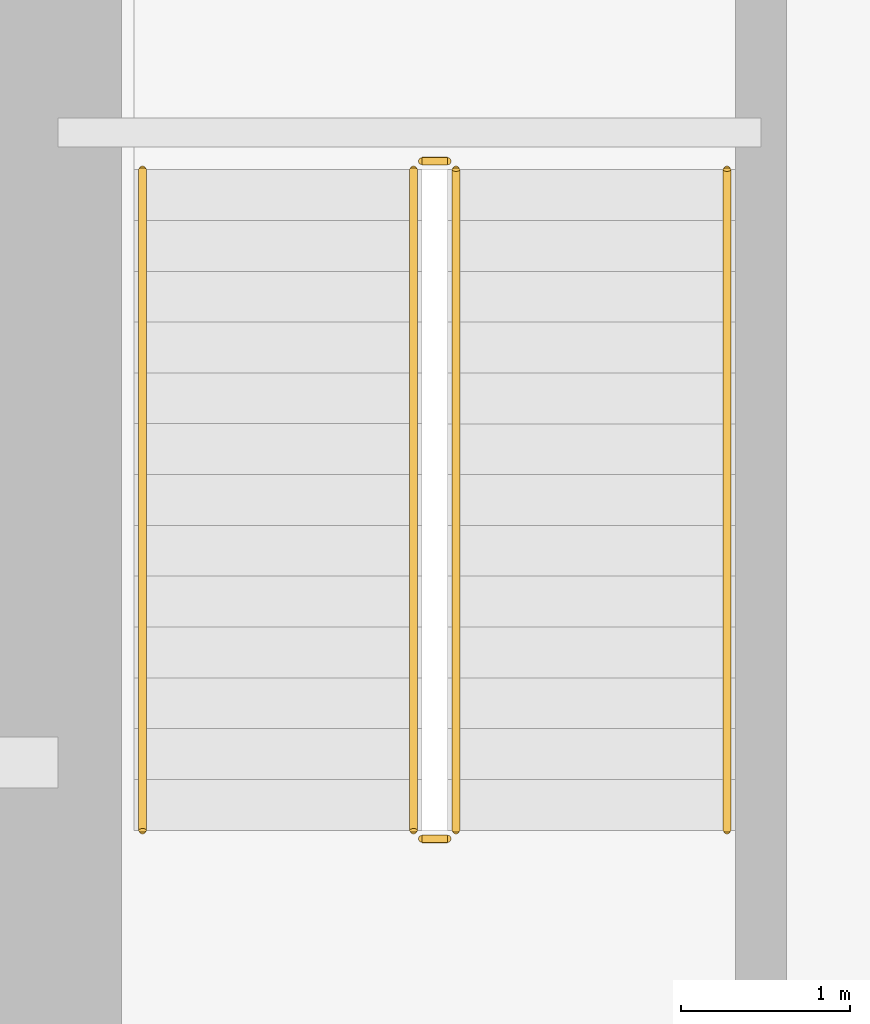
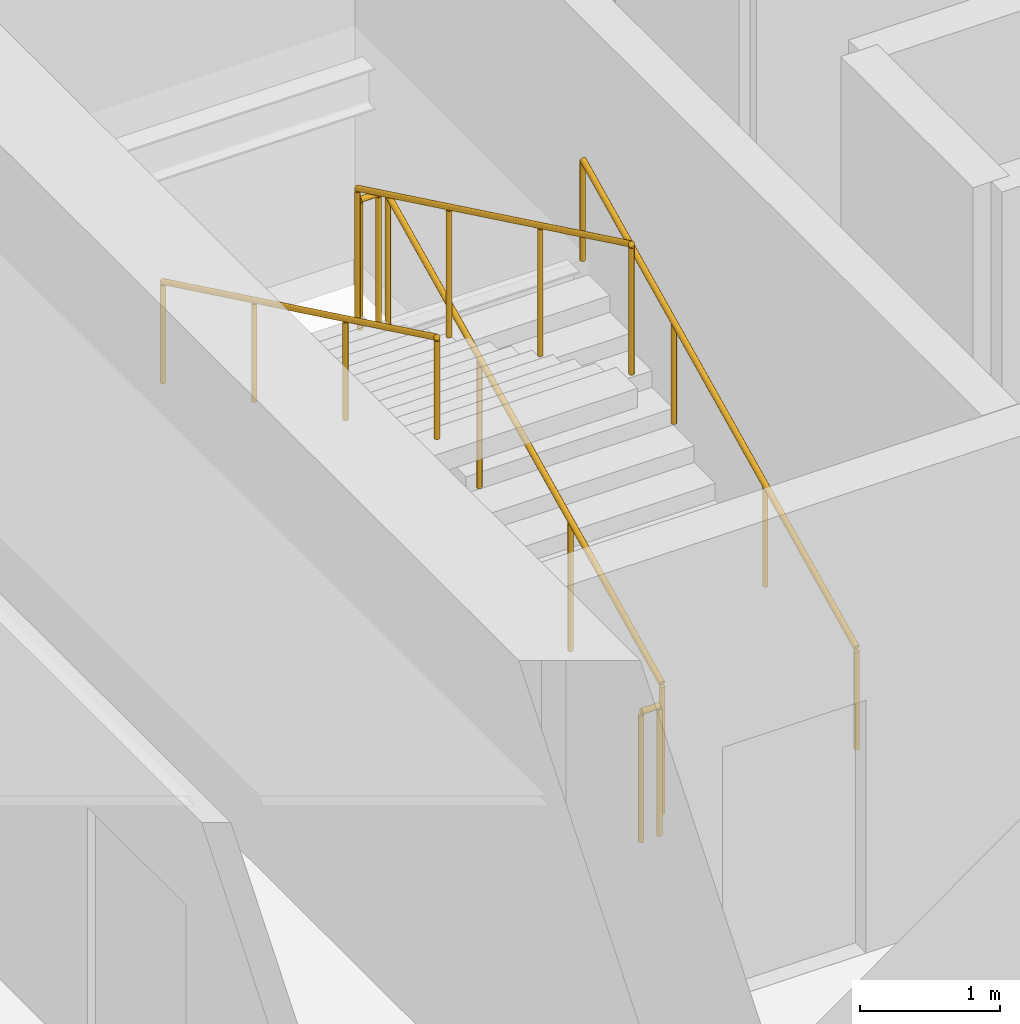
# One storey, part 31 of 34: 6 railings.
"""IFC4 building model written with IfcOpenShell, lengths in metres."""

from ifc_helpers import new_model, si_unit, direction, frame, origin, origin_2d, place, context, subcontext, project, spatial, circle, extrude, material, type_object, element, save


model = new_model("IFC4")

# Units and contexts
model_context = context("Model", 3, precision=1e-05, world=origin(), true_north=direction((0.0, 1.0)))
body_context = subcontext(model_context, "Body", "Model", "MODEL_VIEW")
ifc_project = project(units=[si_unit("LENGTHUNIT", "METRE"), si_unit("AREAUNIT", "SQUARE_METRE"), si_unit("VOLUMEUNIT", "CUBIC_METRE"), si_unit("PLANEANGLEUNIT", "RADIAN"), si_unit("MASSUNIT", "GRAM", prefix="KILO")], contexts=[model_context])

# Site, building, storey
site_placement = place(None, origin())
site = spatial("IfcSite", under=ifc_project, at=site_placement, CompositionType="ELEMENT")
building_placement = place(site_placement, origin())
building = spatial("IfcBuilding", under=site, at=building_placement, Name="Punatoya Terracotta Tower", CompositionType="ELEMENT")
storey_placement = place(building_placement, frame((0.0, 0.0, 84.89990234375)))
storey = spatial("IfcBuildingStorey", under=building, at=storey_placement, Name="L19", CompositionType="ELEMENT", Elevation=84.89990234375)

# Railings
ifc_material = material(Name="Steel S355", Category="steel")
railing_type_1 = type_object("IfcRailingType", Name="RLG-GRD-1150", PredefinedType="GUARDRAIL", material=ifc_material)
railing_1_placement = place(storey_placement, frame((-7.85009765625, -3.800048828125, 0.144775390625)))
element("IfcRailing", 1, at=railing_1_placement, inside=storey, type_object=railing_type_1, Name="L19 ST-1 stair guard 1", PredefinedType="GUARDRAIL", context=body_context, shape_type="SweptSolid", body=[
    extrude(circle(Radius=0.02392578125, at=origin_2d()), frame((0.0, 0.0, 1.1259765625), z_axis=(0.0, 0.900773802044, 0.434288564841), x_axis=(-1.0, 0.0, 0.0)), (0.0, 0.0, 1.0), 4.329833984375),
    extrude(circle(Radius=0.02099609375, at=origin_2d()), origin(), (0.0, 0.0, 1.0), 1.101806640625),
    extrude(circle(Radius=0.02099609375, at=origin_2d()), frame((0.0, 1.300048828125, 0.626708984375)), (0.0, 0.0, 1.0), 1.101806640625),
    extrude(circle(Radius=0.02099609375, at=origin_2d()), frame((0.0, 2.60009765625, 1.253662109375)), (0.0, 0.0, 1.0), 1.101806640625),
    extrude(circle(Radius=0.02099609375, at=origin_2d()), frame((0.0, 3.900146484375, 1.88037109375)), (0.0, 0.0, 1.0), 1.101806640625),
])
railing_2_placement = place(storey_placement, frame((-7.89990234375, 0.14990234375, 2.025146484375)))
element("IfcRailing", 2, at=railing_2_placement, inside=storey, type_object=railing_type_1, Name="L19 ST-1 stair guard 2", PredefinedType="GUARDRAIL", context=body_context, shape_type="SweptSolid", body=[
    extrude(circle(Radius=0.02392578125, at=origin_2d()), frame((0.0, 0.0, 1.1259765625), z_axis=(-1.0, 0.0, 0.0), x_axis=(0.0, -1.0, 0.0)), (0.0, 0.0, 1.0), 0.150146484375),
    extrude(circle(Radius=0.02099609375, at=origin_2d()), origin(), (0.0, 0.0, 1.0), 1.101806640625),
    extrude(circle(Radius=0.02099609375, at=origin_2d()), frame((-0.150146484375, 0.0, 0.0)), (0.0, 0.0, 1.0), 1.101806640625),
])
railing_3_placement = place(storey_placement, frame((-8.10009765625, 0.10009765625, 2.169677734375)))
element("IfcRailing", 3, at=railing_3_placement, inside=storey, type_object=railing_type_1, Name="L19 ST-1 stair guard 3", PredefinedType="GUARDRAIL", context=body_context, shape_type="SweptSolid", body=[
    extrude(circle(Radius=0.02392578125, at=origin_2d()), frame((0.0, 0.0, 1.1259765625), z_axis=(0.0, -0.900773802044, 0.434288564841), x_axis=(1.0, 0.0, 0.0)), (0.0, 0.0, 1.0), 4.329833984375),
    extrude(circle(Radius=0.02099609375, at=origin_2d()), origin(), (0.0, 0.0, 1.0), 1.101806640625),
    extrude(circle(Radius=0.02099609375, at=origin_2d()), frame((0.0, -1.300048828125, 0.626708984375)), (0.0, 0.0, 1.0), 1.101806640625),
    extrude(circle(Radius=0.02099609375, at=origin_2d()), frame((0.0, -2.60009765625, 1.253662109375)), (0.0, 0.0, 1.0), 1.101806640625),
    extrude(circle(Radius=0.02099609375, at=origin_2d()), frame((0.0, -3.900146484375, 1.88037109375)), (0.0, 0.0, 1.0), 1.101806640625),
])
railing_4_placement = place(storey_placement, frame((-7.89990234375, -3.85009765625, 0.0)))
element("IfcRailing", 4, at=railing_4_placement, inside=storey, type_object=railing_type_1, Name="L19 ST-1 stair guard 4", PredefinedType="GUARDRAIL", context=body_context, shape_type="SweptSolid", body=[
    extrude(circle(Radius=0.02392578125, at=origin_2d()), frame((0.0, 0.0, 1.1259765625), z_axis=(-1.0, 0.0, 0.0), x_axis=(0.0, -1.0, 0.0)), (0.0, 0.0, 1.0), 0.150146484375),
    extrude(circle(Radius=0.02099609375, at=origin_2d()), origin(), (0.0, 0.0, 1.0), 1.101806640625),
    extrude(circle(Radius=0.02099609375, at=origin_2d()), frame((-0.150146484375, 0.0, 0.0)), (0.0, 0.0, 1.0), 1.101806640625),
])
railing_type_2 = type_object("IfcRailingType", Name="RLG-HND-900", PredefinedType="HANDRAIL", material=ifc_material)
railing_5_placement = place(storey_placement, frame((-6.25, -3.800048828125, 0.144775390625)))
element("IfcRailing", 5, at=railing_5_placement, inside=storey, type_object=railing_type_2, Name="L19 ST-1 stair handrail 1", PredefinedType="HANDRAIL", context=body_context, shape_type="SweptSolid", body=[
    extrude(circle(Radius=0.02392578125, at=origin_2d()), frame((0.0, 0.0, 0.8759765625), z_axis=(0.0, 0.900773802044, 0.434288564841), x_axis=(-1.0, 0.0, 0.0)), (0.0, 0.0, 1.0), 4.329833984375),
    extrude(circle(Radius=0.02099609375, at=origin_2d()), origin(), (0.0, 0.0, 1.0), 0.851806640625),
    extrude(circle(Radius=0.02099609375, at=origin_2d()), frame((0.0, 1.300048828125, 0.626708984375)), (0.0, 0.0, 1.0), 0.851806640625),
    extrude(circle(Radius=0.02099609375, at=origin_2d()), frame((0.0, 2.60009765625, 1.253662109375)), (0.0, 0.0, 1.0), 0.851806640625),
    extrude(circle(Radius=0.02099609375, at=origin_2d()), frame((0.0, 3.900146484375, 1.88037109375)), (0.0, 0.0, 1.0), 0.851806640625),
])
railing_6_placement = place(storey_placement, frame((-9.699951171875, 0.10009765625, 2.169677734375)))
element("IfcRailing", 6, at=railing_6_placement, inside=storey, type_object=railing_type_2, Name="L19 ST-1 stair handrail 2", PredefinedType="HANDRAIL", context=body_context, shape_type="SweptSolid", body=[
    extrude(circle(Radius=0.02392578125, at=origin_2d()), frame((0.0, 0.0, 0.8759765625), z_axis=(0.0, -0.900773802044, 0.434288564841), x_axis=(1.0, 0.0, 0.0)), (0.0, 0.0, 1.0), 4.329833984375),
    extrude(circle(Radius=0.02099609375, at=origin_2d()), origin(), (0.0, 0.0, 1.0), 0.851806640625),
    extrude(circle(Radius=0.02099609375, at=origin_2d()), frame((0.0, -1.300048828125, 0.626708984375)), (0.0, 0.0, 1.0), 0.851806640625),
    extrude(circle(Radius=0.02099609375, at=origin_2d()), frame((0.0, -2.60009765625, 1.253662109375)), (0.0, 0.0, 1.0), 0.851806640625),
    extrude(circle(Radius=0.02099609375, at=origin_2d()), frame((0.0, -3.900146484375, 1.88037109375)), (0.0, 0.0, 1.0), 0.851806640625),
])

save(model, "model.ifc")
